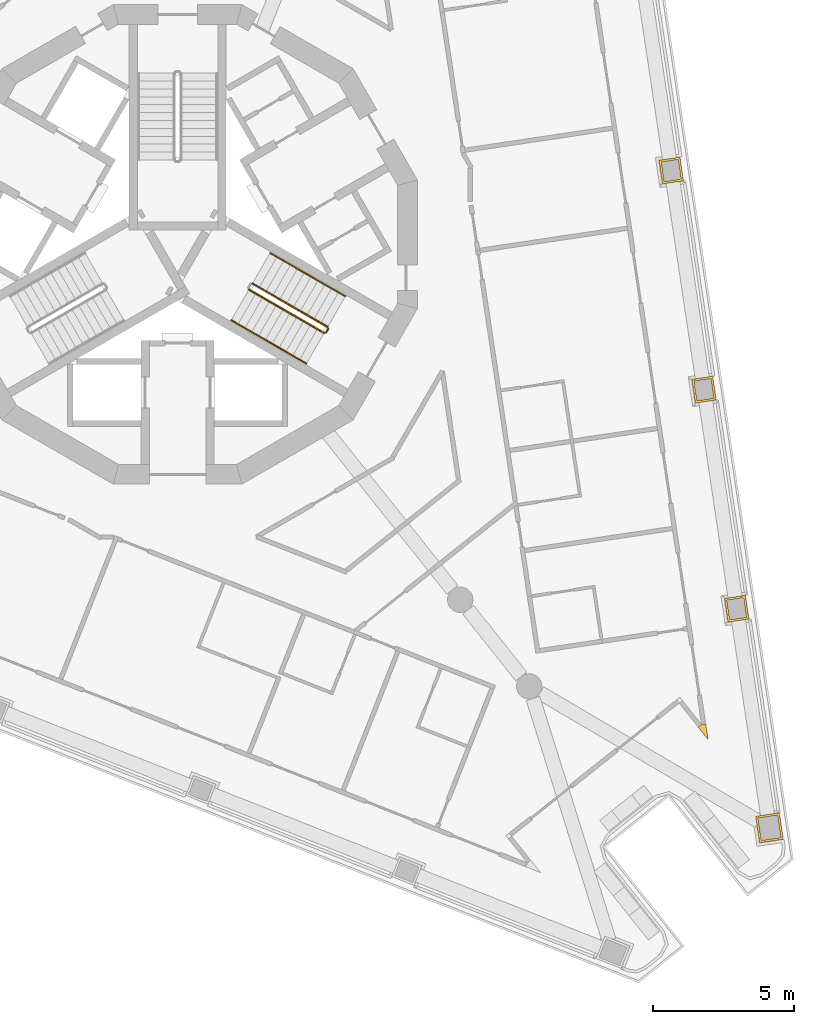
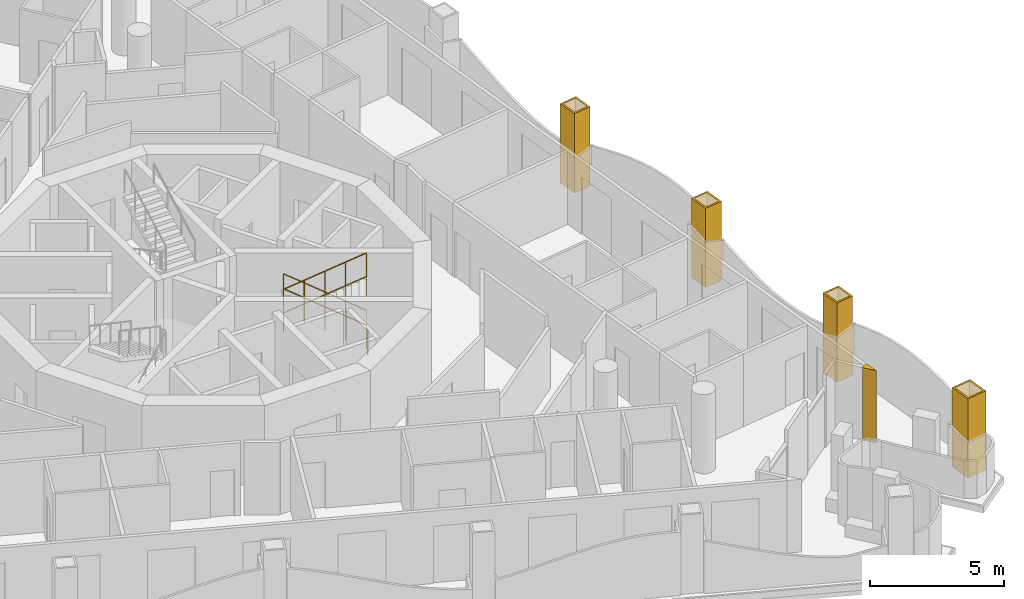
# One storey, part 14 of 16: 7 railings, 5 coverings.
"""IFC4 building model written with IfcOpenShell, lengths in metres."""

from ifc_helpers import new_model, si_unit, direction, frame, origin, origin_2d, place, context, subcontext, project, spatial, polyline, circle, outline, extrude, material, layer, layer_set, type_object, element, save


model = new_model("IFC4")

# Units and contexts
model_context = context("Model", 3, precision=1e-05, world=origin(), true_north=direction((0.0, 1.0)))
body_context = subcontext(model_context, "Body", "Model", "MODEL_VIEW")
ifc_project = project(units=[si_unit("LENGTHUNIT", "METRE"), si_unit("AREAUNIT", "SQUARE_METRE"), si_unit("VOLUMEUNIT", "CUBIC_METRE"), si_unit("PLANEANGLEUNIT", "RADIAN"), si_unit("MASSUNIT", "GRAM", prefix="KILO")], contexts=[model_context])

# Site, building, storey
site_placement = place(None, origin())
site = spatial("IfcSite", under=ifc_project, at=site_placement, CompositionType="ELEMENT")
building_placement = place(site_placement, origin())
building = spatial("IfcBuilding", under=site, at=building_placement, Name="Trine Commons Tower", CompositionType="ELEMENT")
storey_placement = place(building_placement, frame((0.0, 0.0, 205.199951171875)))
storey = spatial("IfcBuildingStorey", under=building, at=storey_placement, Name="L53", CompositionType="ELEMENT", Elevation=205.199951171875)

# Coverings
ifc_material_1 = material(Name="Aluminium-framed insulated wall panel", Category="aluminium")
ifc_layer_1 = layer(ifc_material_1, 0.14990234375)
ifc_layer_set_1 = layer_set([ifc_layer_1], Name="Aluminium-framed insulated wall panel")
covering_type_1 = type_object("IfcCoveringType", Name="Glazing corner post, aluminium", PredefinedType="CLADDING", material=ifc_layer_set_1)
covering_1_placement = place(storey_placement, origin())
element("IfcCovering", 1, at=covering_1_placement, inside=storey, type_object=covering_type_1, Name="Glazing corner post 6-06", PredefinedType="CLADDING", context=body_context, shape_type="SweptSolid", body=[
    extrude(outline(polyline([(98.4521484375, 45.390625), (98.800537109375, 44.95263671875), (98.718017578125, 45.506103515625), (98.569580078125, 45.484130859375), (98.4521484375, 45.390625)])), origin(), (0.0, 0.0, 1.0), 3.300048828125),
])
ifc_material_2 = material(Name="Limestone, honed", Category="masonry")
ifc_layer_2 = layer(ifc_material_2, 0.074951171875)
ifc_layer_set_2 = layer_set([ifc_layer_2], Name="Limestone, honed")
covering_type_2 = type_object("IfcCoveringType", Name="Limestone column cladding 75", PredefinedType="CLADDING", material=ifc_layer_set_2)
covering_2_placement = place(storey_placement, origin())
element("IfcCovering", 2, at=covering_2_placement, inside=storey, type_object=covering_type_2, Name="Limestone pier cladding 6-18", PredefinedType="CLADDING", context=body_context, shape_type="SweptSolid", body=[
    extrude(outline(polyline([(97.80419921875, 65.590576171875), (97.0625, 65.479736328125), (97.18798828125, 64.638916015625), (97.9296875, 64.75), (97.80419921875, 65.590576171875)]), holes=[polyline([(97.7412109375, 65.50537109375), (97.147705078125, 65.41650390625), (97.251220703125, 64.724365234375), (97.844482421875, 64.81298828125), (97.7412109375, 65.50537109375)])]), origin(), (0.0, 0.0, 1.0), 3.60009765625),
])
covering_3_placement = place(storey_placement, origin())
element("IfcCovering", 3, at=covering_3_placement, inside=storey, type_object=covering_type_2, Name="Limestone pier cladding 6-19", PredefinedType="CLADDING", context=body_context, shape_type="SweptSolid", body=[
    extrude(outline(polyline([(98.964599609375, 57.826171875), (98.222900390625, 57.71533203125), (98.348388671875, 56.87451171875), (99.090087890625, 56.985595703125), (98.964599609375, 57.826171875)]), holes=[polyline([(98.901611328125, 57.740966796875), (98.30810546875, 57.652099609375), (98.41162109375, 56.9599609375), (99.0048828125, 57.048583984375), (98.901611328125, 57.740966796875)])]), origin(), (0.0, 0.0, 1.0), 3.60009765625),
])
covering_4_placement = place(storey_placement, origin())
element("IfcCovering", 4, at=covering_4_placement, inside=storey, type_object=covering_type_2, Name="Limestone pier cladding 6-20", PredefinedType="CLADDING", context=body_context, shape_type="SweptSolid", body=[
    extrude(outline(polyline([(100.125, 50.06201171875), (99.38330078125, 49.950927734375), (99.5087890625, 49.1103515625), (100.25048828125, 49.22119140625), (100.125, 50.06201171875)]), holes=[polyline([(100.06201171875, 49.9765625), (99.468505859375, 49.887939453125), (99.572021484375, 49.195556640625), (100.165283203125, 49.2841796875), (100.06201171875, 49.9765625)])]), origin(), (0.0, 0.0, 1.0), 3.60009765625),
])
covering_5_placement = place(storey_placement, origin())
element("IfcCovering", 5, at=covering_5_placement, inside=storey, type_object=covering_type_2, Name="Limestone pier cladding 6-21", PredefinedType="CLADDING", context=body_context, shape_type="SweptSolid", body=[
    extrude(outline(polyline([(101.327392578125, 42.354248046875), (100.48681640625, 42.228759765625), (100.627197265625, 41.2890625), (101.4677734375, 41.414794921875), (101.327392578125, 42.354248046875)]), holes=[polyline([(101.264404296875, 42.26904296875), (100.572021484375, 42.16552734375), (100.690185546875, 41.37451171875), (101.382568359375, 41.477783203125), (101.264404296875, 42.26904296875)])]), origin(), (0.0, 0.0, 1.0), 3.60009765625),
])

# Railings
ifc_material_3 = material(Name="Stainless steel balustrade", Category="steel")
railing_type_1 = type_object("IfcRailingType", Name="Stair guard, steel balustrade 1100", PredefinedType="GUARDRAIL", material=ifc_material_3)
railing_1_placement = place(storey_placement, frame((85.31982421875, 59.572998046875, 0.150146484375)))
element("IfcRailing", 6, at=railing_1_placement, inside=storey, type_object=railing_type_1, Name="L53 ST3C stair guard 1", PredefinedType="GUARDRAIL", context=body_context, shape_type="SweptSolid", body=[
    extrude(circle(Radius=0.02392578125, at=origin_2d()), frame((0.0, 0.0, 1.076171875), z_axis=(-0.76340495495, 0.440743040072, 0.472184759798), x_axis=(-0.499992328818, -0.866029832698, 0.0)), (0.0, 0.0, 1.0), 3.494140625),
    extrude(circle(Radius=0.02099609375, at=origin_2d()), origin(), (0.0, 0.0, 1.0), 1.052001953125),
    extrude(circle(Radius=0.02099609375, at=origin_2d()), frame((-0.6669921875, 0.385009765625, 0.41259765625)), (0.0, 0.0, 1.0), 1.052001953125),
    extrude(circle(Radius=0.02099609375, at=origin_2d()), frame((-1.333740234375, 0.77001953125, 0.824951171875)), (0.0, 0.0, 1.0), 1.052001953125),
    extrude(circle(Radius=0.02099609375, at=origin_2d()), frame((-2.00048828125, 1.155029296875, 1.2373046875)), (0.0, 0.0, 1.0), 1.052001953125),
    extrude(circle(Radius=0.02099609375, at=origin_2d()), frame((-2.66748046875, 1.5400390625, 1.64990234375)), (0.0, 0.0, 1.0), 1.052001953125),
])
railing_2_placement = place(storey_placement, frame((82.52734375, 60.896484375, 1.949951171875)))
element("IfcRailing", 7, at=railing_2_placement, inside=storey, type_object=railing_type_1, Name="L53 ST3C stair guard 3", PredefinedType="GUARDRAIL", context=body_context, shape_type="SweptSolid", body=[
    extrude(circle(Radius=0.02392578125, at=origin_2d()), frame((0.0, 0.0, 1.076171875), z_axis=(0.763379768245, -0.440728498818, 0.472239049384), x_axis=(0.499992328818, 0.866029832698, 0.0)), (0.0, 0.0, 1.0), 3.494384765625),
    extrude(circle(Radius=0.02099609375, at=origin_2d()), origin(), (0.0, 0.0, 1.0), 1.052001953125),
    extrude(circle(Radius=0.02099609375, at=origin_2d()), frame((0.6669921875, -0.385009765625, 0.41259765625)), (0.0, 0.0, 1.0), 1.052001953125),
    extrude(circle(Radius=0.02099609375, at=origin_2d()), frame((1.333740234375, -0.77001953125, 0.8251953125)), (0.0, 0.0, 1.0), 1.052001953125),
    extrude(circle(Radius=0.02099609375, at=origin_2d()), frame((2.00048828125, -1.155029296875, 1.237548828125)), (0.0, 0.0, 1.0), 1.052001953125),
    extrude(circle(Radius=0.02099609375, at=origin_2d()), frame((2.66748046875, -1.5400390625, 1.650146484375)), (0.0, 0.0, 1.0), 1.052001953125),
])
railing_3_placement = place(storey_placement, frame((85.338134765625, 59.504638671875, 0.0)))
element("IfcRailing", 8, at=railing_3_placement, inside=storey, type_object=railing_type_1, Name="L53 ST3C stair guard 4", PredefinedType="GUARDRAIL", context=body_context, shape_type="SweptSolid", body=[
    extrude(circle(Radius=0.02392578125, at=origin_2d()), frame((0.0, 0.0, 1.076171875), z_axis=(-0.499816412211, -0.866131372301, 0.0), x_axis=(0.866131372301, -0.499816412211, 0.0)), (0.0, 0.0, 1.0), 0.14990234375),
    extrude(circle(Radius=0.02099609375, at=origin_2d()), origin(), (0.0, 0.0, 1.0), 1.052001953125),
    extrude(circle(Radius=0.02099609375, at=origin_2d()), frame((-0.074951171875, -0.1298828125, 0.0)), (0.0, 0.0, 1.0), 1.052001953125),
])
ifc_material_4 = material(Name="Stainless steel handrail", Category="steel")
railing_type_2 = type_object("IfcRailingType", Name="Stair handrail, steel 900", PredefinedType="HANDRAIL", material=ifc_material_4)
for number, where, name in (
    (9, (85.94482421875, 60.655517578125, 0.150146484375), "L53 ST3C stair handrail 1"),
    (10, (84.611083984375, 61.425537109375, 0.97509765625), "L53 ST3C stair handrail 2"),
):
    element("IfcRailing", number, at=place(storey_placement, frame(where)), inside=storey, type_object=railing_type_2, Name=name, PredefinedType="HANDRAIL", context=body_context, shape_type="SweptSolid", body=[
        extrude(circle(Radius=0.02099609375, at=origin_2d()), frame((0.0, 0.0, 0.87890625), z_axis=(-0.76340495495, 0.440743040072, 0.472184759798), x_axis=(-0.499992328818, -0.866029832698, 0.0)), (0.0, 0.0, 1.0), 1.7470703125),
        extrude(circle(Radius=0.01513671875, at=origin_2d()), origin(), (0.0, 0.0, 1.0), 0.85791015625),
        extrude(circle(Radius=0.01513671875, at=origin_2d()), frame((-0.6669921875, 0.385009765625, 0.41259765625)), (0.0, 0.0, 1.0), 0.85791015625),
        extrude(circle(Radius=0.01513671875, at=origin_2d()), frame((-1.333740234375, 0.77001953125, 0.824951171875)), (0.0, 0.0, 1.0), 0.85791015625),
    ])
railing_4_placement = place(storey_placement, frame((81.90234375, 59.81396484375, 1.949951171875)))
element("IfcRailing", 11, at=railing_4_placement, inside=storey, type_object=railing_type_2, Name="L53 ST3C stair handrail 3", PredefinedType="HANDRAIL", context=body_context, shape_type="SweptSolid", body=[
    extrude(circle(Radius=0.02099609375, at=origin_2d()), frame((0.0, 0.0, 0.87890625), z_axis=(0.763354580307, -0.440713956853, 0.472293333596), x_axis=(0.499992328818, 0.866029832698, 0.0)), (0.0, 0.0, 1.0), 1.747314453125),
    extrude(circle(Radius=0.01513671875, at=origin_2d()), origin(), (0.0, 0.0, 1.0), 0.85791015625),
    extrude(circle(Radius=0.01513671875, at=origin_2d()), frame((0.6669921875, -0.385009765625, 0.41259765625)), (0.0, 0.0, 1.0), 0.85791015625),
    extrude(circle(Radius=0.01513671875, at=origin_2d()), frame((1.333740234375, -0.77001953125, 0.8251953125)), (0.0, 0.0, 1.0), 0.85791015625),
])
railing_5_placement = place(storey_placement, frame((83.236083984375, 59.0439453125, 2.775146484375)))
element("IfcRailing", 12, at=railing_5_placement, inside=storey, type_object=railing_type_2, Name="L53 ST3C stair handrail 4", PredefinedType="HANDRAIL", context=body_context, shape_type="SweptSolid", body=[
    extrude(circle(Radius=0.02099609375, at=origin_2d()), frame((0.0, 0.0, 0.87890625), z_axis=(0.76340495495, -0.440743040072, 0.472184759798), x_axis=(0.499992328818, 0.866029832698, 0.0)), (0.0, 0.0, 1.0), 1.7470703125),
    extrude(circle(Radius=0.01513671875, at=origin_2d()), origin(), (0.0, 0.0, 1.0), 0.85791015625),
    extrude(circle(Radius=0.01513671875, at=origin_2d()), frame((0.6669921875, -0.385009765625, 0.41259765625)), (0.0, 0.0, 1.0), 0.85791015625),
    extrude(circle(Radius=0.01513671875, at=origin_2d()), frame((1.333740234375, -0.77001953125, 0.824951171875)), (0.0, 0.0, 1.0), 0.85791015625),
])

save(model, "model.ifc")
